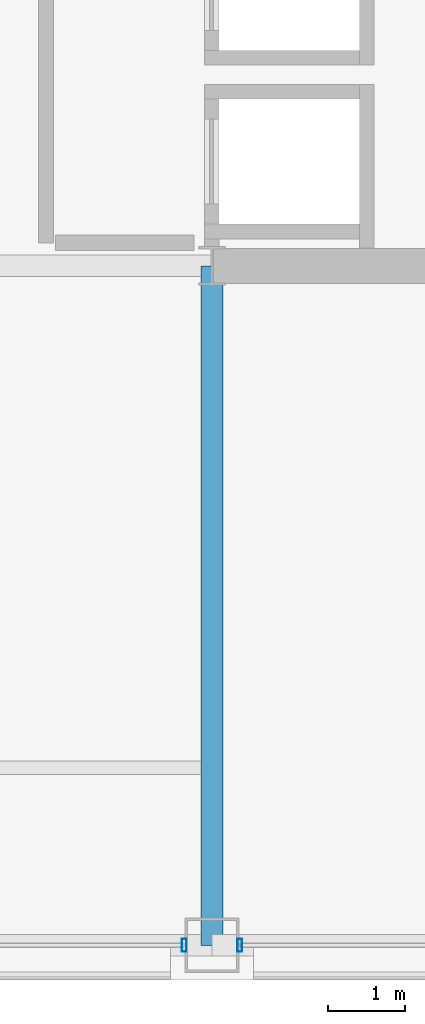
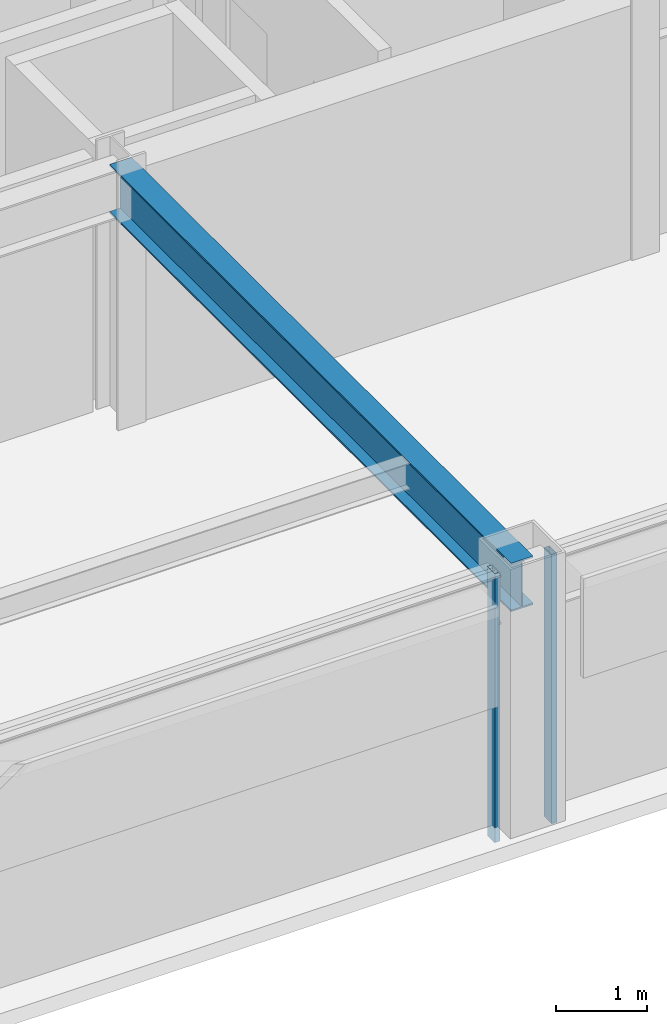
# One storey, part 6 of 28: 2 members, 1 beam, 2 elements without a shape of their own.
"""IFC4 building model written with IfcOpenShell, lengths in metres."""

from ifc_helpers import new_model, si_unit, direction, frame, origin, origin_2d, place, context, subcontext, project, spatial, hollow_rectangle, i_section, extrude, material, layer, layer_set, material_profile, profile_set, type_object, element, aggregate, save


model = new_model("IFC4")

# Units and contexts
model_context = context("Model", 3, precision=1e-05, world=origin(), true_north=direction((0.0, 1.0)))
body_context = subcontext(model_context, "Body", "Model", "MODEL_VIEW")
ifc_project = project(units=[si_unit("LENGTHUNIT", "METRE"), si_unit("AREAUNIT", "SQUARE_METRE"), si_unit("VOLUMEUNIT", "CUBIC_METRE"), si_unit("PLANEANGLEUNIT", "RADIAN"), si_unit("MASSUNIT", "GRAM", prefix="KILO")], contexts=[model_context])

# Site, building, storey
site_placement = place(None, origin())
site = spatial("IfcSite", under=ifc_project, at=site_placement, CompositionType="ELEMENT")
building_placement = place(site_placement, origin())
building = spatial("IfcBuilding", under=site, at=building_placement, Name="Brelmoor Portico Tower", CompositionType="ELEMENT")
storey_placement = place(building_placement, frame((0.0, 0.0, 191.10009765625)))
storey = spatial("IfcBuildingStorey", under=building, at=storey_placement, Name="L50", CompositionType="ELEMENT", Elevation=191.10009765625)

# Beam
ifc_material_1 = material(Name="Steel Q355B", Category="steel")
ifc_material_profile_1 = material_profile(ifc_material_1, i_section(OverallWidth=0.280029296875, OverallDepth=0.64990234375, WebThickness=0.012939453125, FlangeThickness=0.02197265625, at=origin_2d()), Name="HN 650x280x13x22")
ifc_profile_set_1 = profile_set([ifc_material_profile_1], Name="Steel Q355B")
beam_type = type_object("IfcBeamType", Name="BM-PG-650", PredefinedType="BEAM", material=ifc_profile_set_1)
beam_placement = place(storey_placement, frame((8.050048828125, -18.550048828125, 3.074951171875), z_axis=(0.0, 1.0, 0.0), x_axis=(-1.0, 0.0, 0.0)))
element("IfcBeam", 1, at=beam_placement, inside=storey, type_object=beam_type, Name="L50 Primary Floor Girder PG-06", PredefinedType="BEAM", context=body_context, shape_type="SweptSolid", body=[
    extrude(i_section(OverallWidth=0.280029296875, OverallDepth=0.64990234375, WebThickness=0.012939453125, FlangeThickness=0.02197265625, at=origin_2d()), origin(), (0.0, 0.0, 1.0), 8.800048828125),
])

# Curtain wall, member
ifc_material_2 = material(Name="Anodised Aluminium Alloy 6063-T6", Category="aluminium")
ifc_layer = layer(ifc_material_2, 0.179931640625)
ifc_layer_set = layer_set([ifc_layer], Name="Anodised Aluminium Alloy 6063-T6")
curtain_wall_type = type_object("IfcCurtainWallType", Name="CW-TOWER-Z3-XB", PredefinedType="NOTDEFINED", material=ifc_layer_set)
curtain_wall_1_placement = place(storey_placement, origin())
curtain_wall_1 = element("IfcCurtainWall", 2, at=curtain_wall_1_placement, inside=storey, type_object=curtain_wall_type, Name="L50 Curtain Wall CW-L50-01-2", PredefinedType="NOTDEFINED")
ifc_material_profile_2 = material_profile(ifc_material_2, hollow_rectangle(XDim=0.06494140625, YDim=0.1650390625, WallThickness=0.00390625, at=origin_2d()), Name="ALU MULLION 65x165")
ifc_profile_set_2 = profile_set([ifc_material_profile_2], Name="Anodised Aluminium Alloy 6063-T6")
member_type = type_object("IfcMemberType", Name="MB-CW-MULL-165", PredefinedType="MULLION", material=ifc_profile_set_2)
member_1_placement = place(storey_placement, frame((7.68994140625, -18.550048828125, -0.2001953125), z_axis=(0.0, 0.0, 1.0), x_axis=(1.0, 0.0, 0.0)))
member_1 = element("IfcMember", 3, at=member_1_placement, type_object=member_type, Name="CW-L50-01-2 Mullion 01", PredefinedType="MULLION", context=body_context, shape_type="SweptSolid", body=[
    extrude(hollow_rectangle(XDim=0.06494140625, YDim=0.1650390625, WallThickness=0.00390625, at=origin_2d()), origin(), (0.0, 0.0, 1.0), 3.60009765625),
])
aggregate(curtain_wall_1, [member_1])

curtain_wall_2_placement = place(storey_placement, origin())
curtain_wall_2 = element("IfcCurtainWall", 4, at=curtain_wall_2_placement, inside=storey, type_object=curtain_wall_type, Name="L50 Curtain Wall CW-L50-01-3", PredefinedType="NOTDEFINED")
member_2_placement = place(storey_placement, frame((8.409912109375, -18.550048828125, -0.2001953125), z_axis=(0.0, 0.0, 1.0), x_axis=(1.0, 0.0, 0.0)))
member_2 = element("IfcMember", 5, at=member_2_placement, type_object=member_type, Name="CW-L50-01-3 Mullion 00", PredefinedType="MULLION", context=body_context, shape_type="SweptSolid", body=[
    extrude(hollow_rectangle(XDim=0.06494140625, YDim=0.1650390625, WallThickness=0.00390625, at=origin_2d()), origin(), (0.0, 0.0, 1.0), 3.60009765625),
])
aggregate(curtain_wall_2, [member_2])

save(model, "model.ifc")
